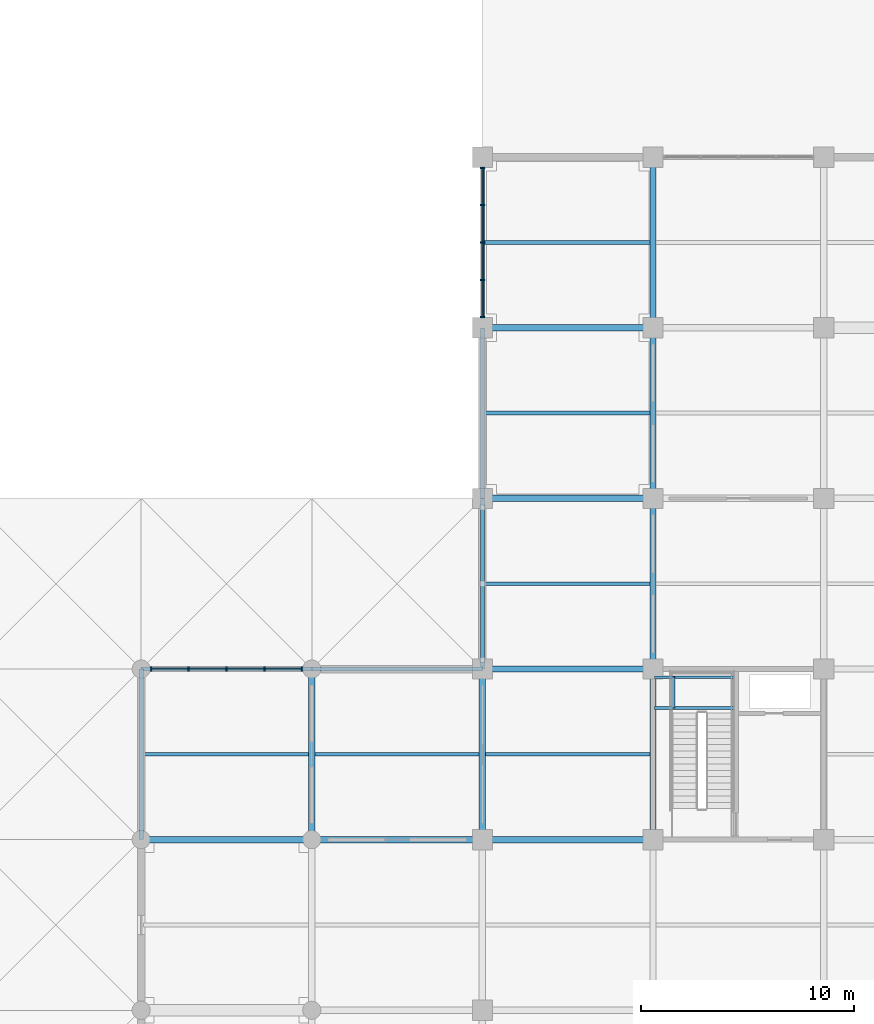
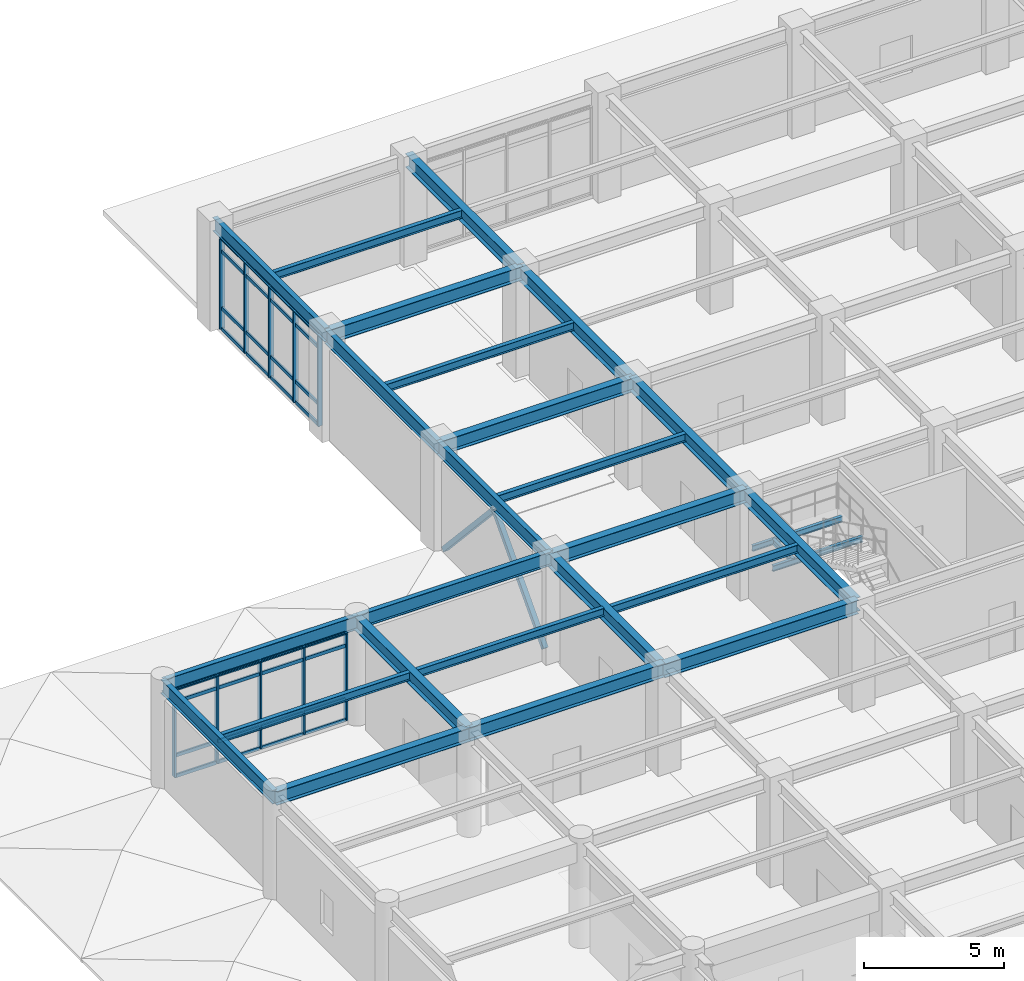
# One storey, part 38 of 109: 44 members, 27 beams, 2 elements without a shape of their own.
"""IFC4 building model written with IfcOpenShell, lengths in metres."""

from ifc_helpers import new_model, si_unit, direction, frame, origin, origin_2d, place, context, subcontext, project, spatial, rectangle, hollow_rectangle, i_section, extrude, material, layer, layer_set, material_profile, profile_set, type_object, element, aggregate, save


model = new_model("IFC4")

# Units and contexts
model_context = context("Model", 3, precision=1e-05, world=origin(), true_north=direction((0.0, 1.0)))
body_context = subcontext(model_context, "Body", "Model", "MODEL_VIEW")
ifc_project = project(units=[si_unit("LENGTHUNIT", "METRE"), si_unit("AREAUNIT", "SQUARE_METRE"), si_unit("VOLUMEUNIT", "CUBIC_METRE"), si_unit("PLANEANGLEUNIT", "RADIAN"), si_unit("MASSUNIT", "GRAM", prefix="KILO")], contexts=[model_context])

# Site, building, storey
site_placement = place(None, origin())
site = spatial("IfcSite", under=ifc_project, at=site_placement, CompositionType="ELEMENT")
building_placement = place(site_placement, origin())
building = spatial("IfcBuilding", under=site, at=building_placement, Name="Haebicheon Civic Stadium", CompositionType="ELEMENT")
storey_placement = place(building_placement, frame((0.0, 0.0, 9.60009765625)))
storey = spatial("IfcBuildingStorey", under=building, at=storey_placement, Name="L03", CompositionType="ELEMENT", Elevation=9.60009765625)

# Beams
ifc_material_1 = material(Name="Steel SM355 (S355)", Category="steel")
ifc_material_profile_1 = material_profile(ifc_material_1, i_section(OverallWidth=0.300048828125, OverallDepth=0.60009765625, WebThickness=0.011962890625, FlangeThickness=0.02001953125, at=origin_2d()), Name="H-600x300x12x20")
ifc_profile_set_1 = profile_set([ifc_material_profile_1], Name="Steel SM355 (S355)")
beam_type_1 = type_object("IfcBeamType", Name="BM-ST-H600A", PredefinedType="BEAM", material=ifc_profile_set_1)
for number, where, z_axis, x_axis, name in (
    (1, (16.0, 128.0, 4.27978515625), (0.0, 1.0, 0.0), (-1.0, 0.0, 0.0), "L03 girder 3/S-T"),
    (2, (24.0, 128.0, 4.239990234375), (0.0, 1.0, 0.0), (-1.0, 0.0, 0.0), "L03 girder 4/S-T"),
    (3, (32.0, 128.0, 4.239990234375), (0.0, 1.0, 0.0), (-1.0, 0.0, 0.0), "L03 girder 5/S-T"),
    (4, (32.0, 136.0, 4.239990234375), (0.0, 1.0, 0.0), (-1.0, 0.0, 0.0), "L03 girder 5/T-U"),
    (5, (32.0, 144.0, 4.239990234375), (0.0, 1.0, 0.0), (-1.0, 0.0, 0.0), "L03 girder 5/U-V"),
    (6, (32.0, 152.0, 4.27978515625), (0.0, 1.0, 0.0), (-1.0, 0.0, 0.0), "L03 girder 5/V-W"),
    (7, (8.0, 128.0, 4.27978515625), (1.0, 0.0, 0.0), (0.0, 1.0, 0.0), "L03 beam S/2-3"),
    (8, (16.0, 128.0, 4.27978515625), (1.0, 0.0, 0.0), (0.0, 1.0, 0.0), "L03 beam S/3-4"),
    (9, (24.0, 128.0, 4.239990234375), (1.0, 0.0, 0.0), (0.0, 1.0, 0.0), "L03 beam S/4-5"),
    (10, (24.0, 136.0, 4.239990234375), (1.0, 0.0, 0.0), (0.0, 1.0, 0.0), "L03 beam T/4-5"),
    (11, (24.0, 144.0, 4.239990234375), (1.0, 0.0, 0.0), (0.0, 1.0, 0.0), "L03 beam U/4-5"),
    (12, (24.0, 152.0, 4.239990234375), (1.0, 0.0, 0.0), (0.0, 1.0, 0.0), "L03 beam V/4-5"),
):
    element("IfcBeam", number, at=place(storey_placement, frame(where, z_axis=z_axis, x_axis=x_axis)), inside=storey, type_object=beam_type_1, material=ifc_profile_set_1, Name=name, PredefinedType="BEAM", context=body_context, shape_type="SweptSolid", body=[
        extrude(i_section(OverallWidth=0.300048828125, OverallDepth=0.60009765625, WebThickness=0.011962890625, FlangeThickness=0.02001953125, at=origin_2d()), origin(), (0.0, 0.0, 1.0), 8.0),
    ])

# Members
ifc_material_2 = material(Name="Steel SM355 (S355)", Category="steel")
ifc_material_profile_2 = material_profile(ifc_material_2, hollow_rectangle(XDim=0.199951171875, YDim=0.199951171875, WallThickness=0.009033203125, at=origin_2d()), Name="RHS-200x200x9.0")
ifc_profile_set_2 = profile_set([ifc_material_profile_2], Name="Steel SM355 (S355)")
member_type_1 = type_object("IfcMemberType", Name="BRC-RHS200", PredefinedType="BRACE", material=ifc_profile_set_2)
for number, where, z_axis, x_axis, name in (
    (13, (24.0, 136.419921875, 0.039794921875), (0.0, 0.676231908598, 0.736688812046), (-1.0, 0.0, 0.0), "BR200 chevron brace L03 03-17 A"),
    (14, (24.0, 143.580078125, 0.039794921875), (0.0, -0.676231908598, 0.736688812046), (1.0, 0.0, 0.0), "BR200 chevron brace L03 03-17 B"),
):
    element("IfcMember", number, at=place(storey_placement, frame(where, z_axis=z_axis, x_axis=x_axis)), inside=storey, type_object=member_type_1, material=ifc_profile_set_2, Name=name, PredefinedType="BRACE", context=body_context, shape_type="SweptSolid", body=[
        extrude(hollow_rectangle(XDim=0.199951171875, YDim=0.199951171875, WallThickness=0.009033203125, at=origin_2d()), origin(), (0.0, 0.0, 1.0), 5.294189453125),
    ])

# Curtain wall, members
ifc_material_3 = material(Name="Anodised aluminium and laminated glass", Category="aluminium")
ifc_layer_1 = layer(ifc_material_3, 0.179931640625, Name="Anodised aluminium and laminated glass")
ifc_layer_set_1 = layer_set([ifc_layer_1], Name="Anodised aluminium and laminated glass")
curtain_wall_type_1 = type_object("IfcCurtainWallType", Name="CW-7150x3790", PredefinedType="NOTDEFINED", material=ifc_layer_set_1)
curtain_wall_1_placement = place(storey_placement, origin())
curtain_wall_1 = element("IfcCurtainWall", 15, at=curtain_wall_1_placement, inside=storey, type_object=curtain_wall_type_1, material=ifc_layer_set_1, Name="L03 unitised curtain wall 071", PredefinedType="NOTDEFINED")
ifc_material_4 = material(Name="Anodised aluminium 6063-T6", Category="aluminium")
ifc_material_profile_3 = material_profile(ifc_material_4, rectangle(XDim=0.070068359375, YDim=0.199951171875, at=origin_2d()), Name="ALU-MULL-70x200")
ifc_profile_set_3 = profile_set([ifc_material_profile_3], Name="Anodised aluminium 6063-T6")
member_type_2 = type_object("IfcMemberType", Name="CWM-200x70", PredefinedType="MULLION", material=ifc_profile_set_3)
member_1_placement = place(storey_placement, frame((8.4599609375, 136.0, 0.159912109375), z_axis=(0.0, 0.0, 1.0), x_axis=(1.0, 0.0, 0.0)))
member_1 = element("IfcMember", 16, at=member_1_placement, type_object=member_type_2, material=ifc_profile_set_3, Name="CW-L03-071 vertical mullion 1", PredefinedType="MULLION", context=body_context, shape_type="SweptSolid", body=[
    extrude(rectangle(XDim=0.070068359375, YDim=0.199951171875, at=origin_2d()), origin(), (0.0, 0.0, 1.0), 3.7900390625),
])
member_2_placement = place(storey_placement, frame((10.212890625, 136.0, 0.159912109375), z_axis=(0.0, 0.0, 1.0), x_axis=(1.0, 0.0, 0.0)))
member_2 = element("IfcMember", 17, at=member_2_placement, type_object=member_type_2, material=ifc_profile_set_3, Name="CW-L03-071 vertical mullion 2", PredefinedType="MULLION", context=body_context, shape_type="SweptSolid", body=[
    extrude(rectangle(XDim=0.070068359375, YDim=0.199951171875, at=origin_2d()), origin(), (0.0, 0.0, 1.0), 3.7900390625),
])
member_3_placement = place(storey_placement, frame((12.0, 136.0, 0.159912109375), z_axis=(0.0, 0.0, 1.0), x_axis=(1.0, 0.0, 0.0)))
member_3 = element("IfcMember", 18, at=member_3_placement, type_object=member_type_2, material=ifc_profile_set_3, Name="CW-L03-071 vertical mullion 3", PredefinedType="MULLION", context=body_context, shape_type="SweptSolid", body=[
    extrude(rectangle(XDim=0.070068359375, YDim=0.199951171875, at=origin_2d()), origin(), (0.0, 0.0, 1.0), 3.7900390625),
])
member_4_placement = place(storey_placement, frame((13.7880859375, 136.0, 0.159912109375), z_axis=(0.0, 0.0, 1.0), x_axis=(1.0, 0.0, 0.0)))
member_4 = element("IfcMember", 19, at=member_4_placement, type_object=member_type_2, material=ifc_profile_set_3, Name="CW-L03-071 vertical mullion 4", PredefinedType="MULLION", context=body_context, shape_type="SweptSolid", body=[
    extrude(rectangle(XDim=0.070068359375, YDim=0.199951171875, at=origin_2d()), origin(), (0.0, 0.0, 1.0), 3.7900390625),
])
member_5_placement = place(storey_placement, frame((15.5400390625, 136.0, 0.159912109375), z_axis=(0.0, 0.0, 1.0), x_axis=(1.0, 0.0, 0.0)))
member_5 = element("IfcMember", 20, at=member_5_placement, type_object=member_type_2, material=ifc_profile_set_3, Name="CW-L03-071 vertical mullion 5", PredefinedType="MULLION", context=body_context, shape_type="SweptSolid", body=[
    extrude(rectangle(XDim=0.070068359375, YDim=0.199951171875, at=origin_2d()), origin(), (0.0, 0.0, 1.0), 3.7900390625),
])

ifc_material_5 = material(Name="Anodised aluminium and laminated glass", Category="aluminium")
ifc_layer_2 = layer(ifc_material_5, 0.179931640625, Name="Anodised aluminium and laminated glass")
ifc_layer_set_2 = layer_set([ifc_layer_2], Name="Anodised aluminium and laminated glass")
curtain_wall_type_2 = type_object("IfcCurtainWallType", Name="CW-7050x3930", PredefinedType="NOTDEFINED", material=ifc_layer_set_2)
curtain_wall_2_placement = place(storey_placement, origin())
curtain_wall_2 = element("IfcCurtainWall", 21, at=curtain_wall_2_placement, inside=storey, type_object=curtain_wall_type_2, material=ifc_layer_set_2, Name="L03 unitised curtain wall 073", PredefinedType="NOTDEFINED")
member_6_placement = place(storey_placement, frame((24.0, 152.510009765625, 0.0), z_axis=(0.0, 0.0, 1.0), x_axis=(0.0, 1.0, 0.0)))
member_6 = element("IfcMember", 22, at=member_6_placement, type_object=member_type_2, material=ifc_profile_set_3, Name="CW-L03-073 vertical mullion 1", PredefinedType="MULLION", context=body_context, shape_type="SweptSolid", body=[
    extrude(rectangle(XDim=0.070068359375, YDim=0.199951171875, at=origin_2d()), origin(), (0.0, 0.0, 1.0), 3.929931640625),
])
member_7_placement = place(storey_placement, frame((24.0, 154.237060546875, 0.0), z_axis=(0.0, 0.0, 1.0), x_axis=(0.0, 1.0, 0.0)))
member_7 = element("IfcMember", 23, at=member_7_placement, type_object=member_type_2, material=ifc_profile_set_3, Name="CW-L03-073 vertical mullion 2", PredefinedType="MULLION", context=body_context, shape_type="SweptSolid", body=[
    extrude(rectangle(XDim=0.070068359375, YDim=0.199951171875, at=origin_2d()), origin(), (0.0, 0.0, 1.0), 3.929931640625),
])
member_8_placement = place(storey_placement, frame((24.0, 156.0, 0.0), z_axis=(0.0, 0.0, 1.0), x_axis=(0.0, 1.0, 0.0)))
member_8 = element("IfcMember", 24, at=member_8_placement, type_object=member_type_2, material=ifc_profile_set_3, Name="CW-L03-073 vertical mullion 3", PredefinedType="MULLION", context=body_context, shape_type="SweptSolid", body=[
    extrude(rectangle(XDim=0.070068359375, YDim=0.199951171875, at=origin_2d()), origin(), (0.0, 0.0, 1.0), 3.929931640625),
])
member_9_placement = place(storey_placement, frame((24.0, 157.762939453125, 0.0), z_axis=(0.0, 0.0, 1.0), x_axis=(0.0, 1.0, 0.0)))
member_9 = element("IfcMember", 25, at=member_9_placement, type_object=member_type_2, material=ifc_profile_set_3, Name="CW-L03-073 vertical mullion 4", PredefinedType="MULLION", context=body_context, shape_type="SweptSolid", body=[
    extrude(rectangle(XDim=0.070068359375, YDim=0.199951171875, at=origin_2d()), origin(), (0.0, 0.0, 1.0), 3.929931640625),
])
member_10_placement = place(storey_placement, frame((24.0, 159.489990234375, 0.0), z_axis=(0.0, 0.0, 1.0), x_axis=(0.0, 1.0, 0.0)))
member_10 = element("IfcMember", 26, at=member_10_placement, type_object=member_type_2, material=ifc_profile_set_3, Name="CW-L03-073 vertical mullion 5", PredefinedType="MULLION", context=body_context, shape_type="SweptSolid", body=[
    extrude(rectangle(XDim=0.070068359375, YDim=0.199951171875, at=origin_2d()), origin(), (0.0, 0.0, 1.0), 3.929931640625),
])

# Member
ifc_material_6 = material(Name="Anodised aluminium 6063-T6", Category="aluminium")
ifc_material_profile_4 = material_profile(ifc_material_6, rectangle(XDim=0.070068359375, YDim=0.14990234375, at=origin_2d()), Name="ALU-TRAN-70x150")
ifc_profile_set_4 = profile_set([ifc_material_profile_4], Name="Anodised aluminium 6063-T6")
member_type_3 = type_object("IfcMemberType", Name="CWT-150x70", PredefinedType="NOTDEFINED", material=ifc_profile_set_4)
member_11_placement = place(storey_placement, frame((8.4951171875, 136.0, 0.159912109375), z_axis=(1.0, 0.0, 0.0), x_axis=(0.0, 1.0, 0.0)))
member_11 = element("IfcMember", 27, at=member_11_placement, type_object=member_type_3, material=ifc_profile_set_4, Name="CW-L03-071 horizontal transom 1.1", ObjectType="TRANSOM", PredefinedType="USERDEFINED", context=body_context, shape_type="SweptSolid", body=[
    extrude(rectangle(XDim=0.070068359375, YDim=0.14990234375, at=origin_2d()), origin(), (0.0, 0.0, 1.0), 1.682861328125),
])

member_12_placement = place(storey_placement, frame((8.4951171875, 136.0, 1.059814453125), z_axis=(1.0, 0.0, 0.0), x_axis=(0.0, 1.0, 0.0)))
member_12 = element("IfcMember", 28, at=member_12_placement, type_object=member_type_3, material=ifc_profile_set_4, Name="CW-L03-071 horizontal transom 1.2", ObjectType="TRANSOM", PredefinedType="USERDEFINED", context=body_context, shape_type="SweptSolid", body=[
    extrude(rectangle(XDim=0.070068359375, YDim=0.14990234375, at=origin_2d()), origin(), (0.0, 0.0, 1.0), 1.682861328125),
])

member_13_placement = place(storey_placement, frame((8.4951171875, 136.0, 3.39990234375), z_axis=(1.0, 0.0, 0.0), x_axis=(0.0, 1.0, 0.0)))
member_13 = element("IfcMember", 29, at=member_13_placement, type_object=member_type_3, material=ifc_profile_set_4, Name="CW-L03-071 horizontal transom 1.3", ObjectType="TRANSOM", PredefinedType="USERDEFINED", context=body_context, shape_type="SweptSolid", body=[
    extrude(rectangle(XDim=0.070068359375, YDim=0.14990234375, at=origin_2d()), origin(), (0.0, 0.0, 1.0), 1.682861328125),
])

member_14_placement = place(storey_placement, frame((8.4951171875, 136.0, 3.949951171875), z_axis=(1.0, 0.0, 0.0), x_axis=(0.0, 1.0, 0.0)))
member_14 = element("IfcMember", 30, at=member_14_placement, type_object=member_type_3, material=ifc_profile_set_4, Name="CW-L03-071 horizontal transom 1.4", ObjectType="TRANSOM", PredefinedType="USERDEFINED", context=body_context, shape_type="SweptSolid", body=[
    extrude(rectangle(XDim=0.070068359375, YDim=0.14990234375, at=origin_2d()), origin(), (0.0, 0.0, 1.0), 1.682861328125),
])

member_15_placement = place(storey_placement, frame((10.248046875, 136.0, 0.159912109375), z_axis=(1.0, 0.0, 0.0), x_axis=(0.0, 1.0, 0.0)))
member_15 = element("IfcMember", 31, at=member_15_placement, type_object=member_type_3, material=ifc_profile_set_4, Name="CW-L03-071 horizontal transom 2.1", ObjectType="TRANSOM", PredefinedType="USERDEFINED", context=body_context, shape_type="SweptSolid", body=[
    extrude(rectangle(XDim=0.070068359375, YDim=0.14990234375, at=origin_2d()), origin(), (0.0, 0.0, 1.0), 1.717041015625),
])

member_16_placement = place(storey_placement, frame((10.248046875, 136.0, 1.059814453125), z_axis=(1.0, 0.0, 0.0), x_axis=(0.0, 1.0, 0.0)))
member_16 = element("IfcMember", 32, at=member_16_placement, type_object=member_type_3, material=ifc_profile_set_4, Name="CW-L03-071 horizontal transom 2.2", ObjectType="TRANSOM", PredefinedType="USERDEFINED", context=body_context, shape_type="SweptSolid", body=[
    extrude(rectangle(XDim=0.070068359375, YDim=0.14990234375, at=origin_2d()), origin(), (0.0, 0.0, 1.0), 1.717041015625),
])

member_17_placement = place(storey_placement, frame((10.248046875, 136.0, 3.39990234375), z_axis=(1.0, 0.0, 0.0), x_axis=(0.0, 1.0, 0.0)))
member_17 = element("IfcMember", 33, at=member_17_placement, type_object=member_type_3, material=ifc_profile_set_4, Name="CW-L03-071 horizontal transom 2.3", ObjectType="TRANSOM", PredefinedType="USERDEFINED", context=body_context, shape_type="SweptSolid", body=[
    extrude(rectangle(XDim=0.070068359375, YDim=0.14990234375, at=origin_2d()), origin(), (0.0, 0.0, 1.0), 1.717041015625),
])

member_18_placement = place(storey_placement, frame((10.248046875, 136.0, 3.949951171875), z_axis=(1.0, 0.0, 0.0), x_axis=(0.0, 1.0, 0.0)))
member_18 = element("IfcMember", 34, at=member_18_placement, type_object=member_type_3, material=ifc_profile_set_4, Name="CW-L03-071 horizontal transom 2.4", ObjectType="TRANSOM", PredefinedType="USERDEFINED", context=body_context, shape_type="SweptSolid", body=[
    extrude(rectangle(XDim=0.070068359375, YDim=0.14990234375, at=origin_2d()), origin(), (0.0, 0.0, 1.0), 1.717041015625),
])

member_19_placement = place(storey_placement, frame((12.034912109375, 136.0, 0.159912109375), z_axis=(1.0, 0.0, 0.0), x_axis=(0.0, 1.0, 0.0)))
member_19 = element("IfcMember", 35, at=member_19_placement, type_object=member_type_3, material=ifc_profile_set_4, Name="CW-L03-071 horizontal transom 3.1", ObjectType="TRANSOM", PredefinedType="USERDEFINED", context=body_context, shape_type="SweptSolid", body=[
    extrude(rectangle(XDim=0.070068359375, YDim=0.14990234375, at=origin_2d()), origin(), (0.0, 0.0, 1.0), 1.718017578125),
])

member_20_placement = place(storey_placement, frame((12.034912109375, 136.0, 1.059814453125), z_axis=(1.0, 0.0, 0.0), x_axis=(0.0, 1.0, 0.0)))
member_20 = element("IfcMember", 36, at=member_20_placement, type_object=member_type_3, material=ifc_profile_set_4, Name="CW-L03-071 horizontal transom 3.2", ObjectType="TRANSOM", PredefinedType="USERDEFINED", context=body_context, shape_type="SweptSolid", body=[
    extrude(rectangle(XDim=0.070068359375, YDim=0.14990234375, at=origin_2d()), origin(), (0.0, 0.0, 1.0), 1.718017578125),
])

member_21_placement = place(storey_placement, frame((12.034912109375, 136.0, 3.39990234375), z_axis=(1.0, 0.0, 0.0), x_axis=(0.0, 1.0, 0.0)))
member_21 = element("IfcMember", 37, at=member_21_placement, type_object=member_type_3, material=ifc_profile_set_4, Name="CW-L03-071 horizontal transom 3.3", ObjectType="TRANSOM", PredefinedType="USERDEFINED", context=body_context, shape_type="SweptSolid", body=[
    extrude(rectangle(XDim=0.070068359375, YDim=0.14990234375, at=origin_2d()), origin(), (0.0, 0.0, 1.0), 1.718017578125),
])

member_22_placement = place(storey_placement, frame((12.034912109375, 136.0, 3.949951171875), z_axis=(1.0, 0.0, 0.0), x_axis=(0.0, 1.0, 0.0)))
member_22 = element("IfcMember", 38, at=member_22_placement, type_object=member_type_3, material=ifc_profile_set_4, Name="CW-L03-071 horizontal transom 3.4", ObjectType="TRANSOM", PredefinedType="USERDEFINED", context=body_context, shape_type="SweptSolid", body=[
    extrude(rectangle(XDim=0.070068359375, YDim=0.14990234375, at=origin_2d()), origin(), (0.0, 0.0, 1.0), 1.718017578125),
])

member_23_placement = place(storey_placement, frame((13.822998046875, 136.0, 0.159912109375), z_axis=(1.0, 0.0, 0.0), x_axis=(0.0, 1.0, 0.0)))
member_23 = element("IfcMember", 39, at=member_23_placement, type_object=member_type_3, material=ifc_profile_set_4, Name="CW-L03-071 horizontal transom 4.1", ObjectType="TRANSOM", PredefinedType="USERDEFINED", context=body_context, shape_type="SweptSolid", body=[
    extrude(rectangle(XDim=0.070068359375, YDim=0.14990234375, at=origin_2d()), origin(), (0.0, 0.0, 1.0), 1.681884765625),
])

member_24_placement = place(storey_placement, frame((13.822998046875, 136.0, 1.059814453125), z_axis=(1.0, 0.0, 0.0), x_axis=(0.0, 1.0, 0.0)))
member_24 = element("IfcMember", 40, at=member_24_placement, type_object=member_type_3, material=ifc_profile_set_4, Name="CW-L03-071 horizontal transom 4.2", ObjectType="TRANSOM", PredefinedType="USERDEFINED", context=body_context, shape_type="SweptSolid", body=[
    extrude(rectangle(XDim=0.070068359375, YDim=0.14990234375, at=origin_2d()), origin(), (0.0, 0.0, 1.0), 1.681884765625),
])

member_25_placement = place(storey_placement, frame((13.822998046875, 136.0, 3.39990234375), z_axis=(1.0, 0.0, 0.0), x_axis=(0.0, 1.0, 0.0)))
member_25 = element("IfcMember", 41, at=member_25_placement, type_object=member_type_3, material=ifc_profile_set_4, Name="CW-L03-071 horizontal transom 4.3", ObjectType="TRANSOM", PredefinedType="USERDEFINED", context=body_context, shape_type="SweptSolid", body=[
    extrude(rectangle(XDim=0.070068359375, YDim=0.14990234375, at=origin_2d()), origin(), (0.0, 0.0, 1.0), 1.681884765625),
])

member_26_placement = place(storey_placement, frame((13.822998046875, 136.0, 3.949951171875), z_axis=(1.0, 0.0, 0.0), x_axis=(0.0, 1.0, 0.0)))
member_26 = element("IfcMember", 42, at=member_26_placement, type_object=member_type_3, material=ifc_profile_set_4, Name="CW-L03-071 horizontal transom 4.4", ObjectType="TRANSOM", PredefinedType="USERDEFINED", context=body_context, shape_type="SweptSolid", body=[
    extrude(rectangle(XDim=0.070068359375, YDim=0.14990234375, at=origin_2d()), origin(), (0.0, 0.0, 1.0), 1.681884765625),
])

aggregate(curtain_wall_1, [member_1, member_2, member_3, member_4, member_5, member_11, member_12, member_13, member_14, member_15, member_16, member_17, member_18, member_19, member_20, member_21, member_22, member_23, member_24, member_25, member_26])

member_27_placement = place(storey_placement, frame((24.0, 152.544921875, 0.0), z_axis=(0.0, 1.0, 0.0), x_axis=(-1.0, 0.0, 0.0)))
member_27 = element("IfcMember", 43, at=member_27_placement, type_object=member_type_3, material=ifc_profile_set_4, Name="CW-L03-073 horizontal transom 1.1", ObjectType="TRANSOM", PredefinedType="USERDEFINED", context=body_context, shape_type="SweptSolid", body=[
    extrude(rectangle(XDim=0.070068359375, YDim=0.14990234375, at=origin_2d()), origin(), (0.0, 0.0, 1.0), 1.656982421875),
])

member_28_placement = place(storey_placement, frame((24.0, 152.544921875, 0.89990234375), z_axis=(0.0, 1.0, 0.0), x_axis=(-1.0, 0.0, 0.0)))
member_28 = element("IfcMember", 44, at=member_28_placement, type_object=member_type_3, material=ifc_profile_set_4, Name="CW-L03-073 horizontal transom 1.2", ObjectType="TRANSOM", PredefinedType="USERDEFINED", context=body_context, shape_type="SweptSolid", body=[
    extrude(rectangle(XDim=0.070068359375, YDim=0.14990234375, at=origin_2d()), origin(), (0.0, 0.0, 1.0), 1.656982421875),
])

member_29_placement = place(storey_placement, frame((24.0, 152.544921875, 3.3798828125), z_axis=(0.0, 1.0, 0.0), x_axis=(-1.0, 0.0, 0.0)))
member_29 = element("IfcMember", 45, at=member_29_placement, type_object=member_type_3, material=ifc_profile_set_4, Name="CW-L03-073 horizontal transom 1.3", ObjectType="TRANSOM", PredefinedType="USERDEFINED", context=body_context, shape_type="SweptSolid", body=[
    extrude(rectangle(XDim=0.070068359375, YDim=0.14990234375, at=origin_2d()), origin(), (0.0, 0.0, 1.0), 1.656982421875),
])

member_30_placement = place(storey_placement, frame((24.0, 152.544921875, 3.929931640625), z_axis=(0.0, 1.0, 0.0), x_axis=(-1.0, 0.0, 0.0)))
member_30 = element("IfcMember", 46, at=member_30_placement, type_object=member_type_3, material=ifc_profile_set_4, Name="CW-L03-073 horizontal transom 1.4", ObjectType="TRANSOM", PredefinedType="USERDEFINED", context=body_context, shape_type="SweptSolid", body=[
    extrude(rectangle(XDim=0.070068359375, YDim=0.14990234375, at=origin_2d()), origin(), (0.0, 0.0, 1.0), 1.656982421875),
])

member_31_placement = place(storey_placement, frame((24.0, 154.27197265625, 0.0), z_axis=(0.0, 1.0, 0.0), x_axis=(-1.0, 0.0, 0.0)))
member_31 = element("IfcMember", 47, at=member_31_placement, type_object=member_type_3, material=ifc_profile_set_4, Name="CW-L03-073 horizontal transom 2.1", ObjectType="TRANSOM", PredefinedType="USERDEFINED", context=body_context, shape_type="SweptSolid", body=[
    extrude(rectangle(XDim=0.070068359375, YDim=0.14990234375, at=origin_2d()), origin(), (0.0, 0.0, 1.0), 1.693115234375),
])

member_32_placement = place(storey_placement, frame((24.0, 154.27197265625, 0.89990234375), z_axis=(0.0, 1.0, 0.0), x_axis=(-1.0, 0.0, 0.0)))
member_32 = element("IfcMember", 48, at=member_32_placement, type_object=member_type_3, material=ifc_profile_set_4, Name="CW-L03-073 horizontal transom 2.2", ObjectType="TRANSOM", PredefinedType="USERDEFINED", context=body_context, shape_type="SweptSolid", body=[
    extrude(rectangle(XDim=0.070068359375, YDim=0.14990234375, at=origin_2d()), origin(), (0.0, 0.0, 1.0), 1.693115234375),
])

member_33_placement = place(storey_placement, frame((24.0, 154.27197265625, 3.3798828125), z_axis=(0.0, 1.0, 0.0), x_axis=(-1.0, 0.0, 0.0)))
member_33 = element("IfcMember", 49, at=member_33_placement, type_object=member_type_3, material=ifc_profile_set_4, Name="CW-L03-073 horizontal transom 2.3", ObjectType="TRANSOM", PredefinedType="USERDEFINED", context=body_context, shape_type="SweptSolid", body=[
    extrude(rectangle(XDim=0.070068359375, YDim=0.14990234375, at=origin_2d()), origin(), (0.0, 0.0, 1.0), 1.693115234375),
])

member_34_placement = place(storey_placement, frame((24.0, 154.27197265625, 3.929931640625), z_axis=(0.0, 1.0, 0.0), x_axis=(-1.0, 0.0, 0.0)))
member_34 = element("IfcMember", 50, at=member_34_placement, type_object=member_type_3, material=ifc_profile_set_4, Name="CW-L03-073 horizontal transom 2.4", ObjectType="TRANSOM", PredefinedType="USERDEFINED", context=body_context, shape_type="SweptSolid", body=[
    extrude(rectangle(XDim=0.070068359375, YDim=0.14990234375, at=origin_2d()), origin(), (0.0, 0.0, 1.0), 1.693115234375),
])

member_35_placement = place(storey_placement, frame((24.0, 156.034912109375, 0.0), z_axis=(0.0, 1.0, 0.0), x_axis=(-1.0, 0.0, 0.0)))
member_35 = element("IfcMember", 51, at=member_35_placement, type_object=member_type_3, material=ifc_profile_set_4, Name="CW-L03-073 horizontal transom 3.1", ObjectType="TRANSOM", PredefinedType="USERDEFINED", context=body_context, shape_type="SweptSolid", body=[
    extrude(rectangle(XDim=0.070068359375, YDim=0.14990234375, at=origin_2d()), origin(), (0.0, 0.0, 1.0), 1.693115234375),
])

member_36_placement = place(storey_placement, frame((24.0, 156.034912109375, 0.89990234375), z_axis=(0.0, 1.0, 0.0), x_axis=(-1.0, 0.0, 0.0)))
member_36 = element("IfcMember", 52, at=member_36_placement, type_object=member_type_3, material=ifc_profile_set_4, Name="CW-L03-073 horizontal transom 3.2", ObjectType="TRANSOM", PredefinedType="USERDEFINED", context=body_context, shape_type="SweptSolid", body=[
    extrude(rectangle(XDim=0.070068359375, YDim=0.14990234375, at=origin_2d()), origin(), (0.0, 0.0, 1.0), 1.693115234375),
])

member_37_placement = place(storey_placement, frame((24.0, 156.034912109375, 3.3798828125), z_axis=(0.0, 1.0, 0.0), x_axis=(-1.0, 0.0, 0.0)))
member_37 = element("IfcMember", 53, at=member_37_placement, type_object=member_type_3, material=ifc_profile_set_4, Name="CW-L03-073 horizontal transom 3.3", ObjectType="TRANSOM", PredefinedType="USERDEFINED", context=body_context, shape_type="SweptSolid", body=[
    extrude(rectangle(XDim=0.070068359375, YDim=0.14990234375, at=origin_2d()), origin(), (0.0, 0.0, 1.0), 1.693115234375),
])

member_38_placement = place(storey_placement, frame((24.0, 156.034912109375, 3.929931640625), z_axis=(0.0, 1.0, 0.0), x_axis=(-1.0, 0.0, 0.0)))
member_38 = element("IfcMember", 54, at=member_38_placement, type_object=member_type_3, material=ifc_profile_set_4, Name="CW-L03-073 horizontal transom 3.4", ObjectType="TRANSOM", PredefinedType="USERDEFINED", context=body_context, shape_type="SweptSolid", body=[
    extrude(rectangle(XDim=0.070068359375, YDim=0.14990234375, at=origin_2d()), origin(), (0.0, 0.0, 1.0), 1.693115234375),
])

member_39_placement = place(storey_placement, frame((24.0, 157.798095703125, 0.0), z_axis=(0.0, 1.0, 0.0), x_axis=(-1.0, 0.0, 0.0)))
member_39 = element("IfcMember", 55, at=member_39_placement, type_object=member_type_3, material=ifc_profile_set_4, Name="CW-L03-073 horizontal transom 4.1", ObjectType="TRANSOM", PredefinedType="USERDEFINED", context=body_context, shape_type="SweptSolid", body=[
    extrude(rectangle(XDim=0.070068359375, YDim=0.14990234375, at=origin_2d()), origin(), (0.0, 0.0, 1.0), 1.656982421875),
])

member_40_placement = place(storey_placement, frame((24.0, 157.798095703125, 0.89990234375), z_axis=(0.0, 1.0, 0.0), x_axis=(-1.0, 0.0, 0.0)))
member_40 = element("IfcMember", 56, at=member_40_placement, type_object=member_type_3, material=ifc_profile_set_4, Name="CW-L03-073 horizontal transom 4.2", ObjectType="TRANSOM", PredefinedType="USERDEFINED", context=body_context, shape_type="SweptSolid", body=[
    extrude(rectangle(XDim=0.070068359375, YDim=0.14990234375, at=origin_2d()), origin(), (0.0, 0.0, 1.0), 1.656982421875),
])

member_41_placement = place(storey_placement, frame((24.0, 157.798095703125, 3.3798828125), z_axis=(0.0, 1.0, 0.0), x_axis=(-1.0, 0.0, 0.0)))
member_41 = element("IfcMember", 57, at=member_41_placement, type_object=member_type_3, material=ifc_profile_set_4, Name="CW-L03-073 horizontal transom 4.3", ObjectType="TRANSOM", PredefinedType="USERDEFINED", context=body_context, shape_type="SweptSolid", body=[
    extrude(rectangle(XDim=0.070068359375, YDim=0.14990234375, at=origin_2d()), origin(), (0.0, 0.0, 1.0), 1.656982421875),
])

member_42_placement = place(storey_placement, frame((24.0, 157.798095703125, 3.929931640625), z_axis=(0.0, 1.0, 0.0), x_axis=(-1.0, 0.0, 0.0)))
member_42 = element("IfcMember", 58, at=member_42_placement, type_object=member_type_3, material=ifc_profile_set_4, Name="CW-L03-073 horizontal transom 4.4", ObjectType="TRANSOM", PredefinedType="USERDEFINED", context=body_context, shape_type="SweptSolid", body=[
    extrude(rectangle(XDim=0.070068359375, YDim=0.14990234375, at=origin_2d()), origin(), (0.0, 0.0, 1.0), 1.656982421875),
])

aggregate(curtain_wall_2, [member_6, member_7, member_8, member_9, member_10, member_27, member_28, member_29, member_30, member_31, member_32, member_33, member_34, member_35, member_36, member_37, member_38, member_39, member_40, member_41, member_42])

# Beams
ifc_material_7 = material(Name="Steel SM355 (S355)", Category="steel")
ifc_material_profile_5 = material_profile(ifc_material_7, i_section(OverallWidth=0.125, OverallDepth=0.25, WebThickness=0.006103515625, FlangeThickness=0.009033203125, at=origin_2d()), Name="H-250x125x6x9")
ifc_profile_set_5 = profile_set([ifc_material_profile_5], Name="Steel SM355 (S355)")
beam_type_2 = type_object("IfcBeamType", Name="JST-ST-H250", PredefinedType="JOIST", material=ifc_profile_set_5)
for number, where, z_axis, x_axis, name in (
    (59, (32.080078125, 134.169921875, 2.072021484375), (1.0, 0.0, 0.0), (0.0, 1.0, 0.0), "KC-05 L03 stair half-landing front trimmer beam"),
    (60, (32.080078125, 135.6201171875, 2.072021484375), (1.0, 0.0, 0.0), (0.0, 1.0, 0.0), "KC-05 L03 stair half-landing rear trimmer beam"),
):
    element("IfcBeam", number, at=place(storey_placement, frame(where, z_axis=z_axis, x_axis=x_axis)), inside=storey, type_object=beam_type_2, material=ifc_profile_set_5, Name=name, PredefinedType="JOIST", context=body_context, shape_type="SweptSolid", body=[
        extrude(i_section(OverallWidth=0.125, OverallDepth=0.25, WebThickness=0.006103515625, FlangeThickness=0.009033203125, at=origin_2d()), origin(), (0.0, 0.0, 1.0), 3.719970703125),
    ])
beam_1_placement = place(storey_placement, frame((32.9599609375, 134.169921875, 2.072021484375), z_axis=(0.0, 1.0, 0.0), x_axis=(-1.0, 0.0, 0.0)))
element("IfcBeam", 61, at=beam_1_placement, inside=storey, type_object=beam_type_2, material=ifc_profile_set_5, Name="KC-05 L03 stair half-landing transverse tie beam", PredefinedType="JOIST", context=body_context, shape_type="SweptSolid", body=[
    extrude(i_section(OverallWidth=0.125, OverallDepth=0.25, WebThickness=0.006103515625, FlangeThickness=0.009033203125, at=origin_2d()), origin(), (0.0, 0.0, 1.0), 1.4501953125),
])
ifc_material_8 = material(Name="Steel SM355 (S355)", Category="steel")
ifc_material_profile_6 = material_profile(ifc_material_8, i_section(OverallWidth=0.175048828125, OverallDepth=0.35009765625, WebThickness=0.007080078125, FlangeThickness=0.010986328125, at=origin_2d()), Name="H-350x175x7x11")
ifc_profile_set_6 = profile_set([ifc_material_profile_6], Name="Steel SM355 (S355)")
beam_type_3 = type_object("IfcBeamType", Name="JST-ST-H350", PredefinedType="JOIST", material=ifc_profile_set_6)
beam_2_placement = place(storey_placement, frame((8.10009765625, 132.0, 4.40478515625), z_axis=(1.0, 0.0, 0.0), x_axis=(0.0, 1.0, 0.0)))
element("IfcBeam", 62, at=beam_2_placement, inside=storey, type_object=beam_type_3, material=ifc_profile_set_6, Name="L03 secondary joist 01-16", PredefinedType="JOIST", context=body_context, shape_type="SweptSolid", body=[
    extrude(i_section(OverallWidth=0.175048828125, OverallDepth=0.35009765625, WebThickness=0.007080078125, FlangeThickness=0.010986328125, at=origin_2d()), origin(), (0.0, 0.0, 1.0), 7.75),
])
for number, where, z_axis, x_axis, name in (
    (63, (16.14990234375, 132.0, 4.40478515625), (1.0, 0.0, 0.0), (0.0, 1.0, 0.0), "L03 secondary joist 02-16"),
    (64, (24.14990234375, 132.0, 4.364990234375), (1.0, 0.0, 0.0), (0.0, 1.0, 0.0), "L03 secondary joist 03-16"),
):
    element("IfcBeam", number, at=place(storey_placement, frame(where, z_axis=z_axis, x_axis=x_axis)), inside=storey, type_object=beam_type_3, material=ifc_profile_set_6, Name=name, PredefinedType="JOIST", context=body_context, shape_type="SweptSolid", body=[
        extrude(i_section(OverallWidth=0.175048828125, OverallDepth=0.35009765625, WebThickness=0.007080078125, FlangeThickness=0.010986328125, at=origin_2d()), origin(), (0.0, 0.0, 1.0), 7.7001953125),
    ])
for number, where, z_axis, x_axis, name in (
    (65, (24.10009765625, 140.0, 4.364990234375), (1.0, 0.0, 0.0), (0.0, 1.0, 0.0), "L03 secondary joist 03-17"),
    (66, (24.10009765625, 148.0, 4.364990234375), (1.0, 0.0, 0.0), (0.0, 1.0, 0.0), "L03 secondary joist 03-18"),
    (67, (24.10009765625, 156.0, 4.40478515625), (1.0, 0.0, 0.0), (0.0, 1.0, 0.0), "L03 secondary joist 03-19"),
):
    element("IfcBeam", number, at=place(storey_placement, frame(where, z_axis=z_axis, x_axis=x_axis)), inside=storey, type_object=beam_type_3, material=ifc_profile_set_6, Name=name, PredefinedType="JOIST", context=body_context, shape_type="SweptSolid", body=[
        extrude(i_section(OverallWidth=0.175048828125, OverallDepth=0.35009765625, WebThickness=0.007080078125, FlangeThickness=0.010986328125, at=origin_2d()), origin(), (0.0, 0.0, 1.0), 7.75),
    ])
ifc_material_9 = material(Name="Steel SM355 (S355)", Category="steel")
ifc_material_profile_7 = material_profile(ifc_material_9, i_section(OverallWidth=0.199951171875, OverallDepth=0.60009765625, WebThickness=0.010986328125, FlangeThickness=0.01708984375, at=origin_2d()), Name="H-600x200x11x17")
ifc_profile_set_7 = profile_set([ifc_material_profile_7], Name="Steel SM355 (S355)")
beam_type_4 = type_object("IfcBeamType", Name="SPD-ST-H600B", PredefinedType="SPANDREL", material=ifc_profile_set_7)
for number, where, z_axis, x_axis, name in (
    (68, (8.0, 128.0, 4.27978515625), (0.0, 1.0, 0.0), (-1.0, 0.0, 0.0), "L03 girder 2/S-T"),
    (69, (24.0, 136.0, 4.239990234375), (0.0, 1.0, 0.0), (-1.0, 0.0, 0.0), "L03 girder 4/T-U"),
    (70, (24.0, 144.0, 4.239990234375), (0.0, 1.0, 0.0), (-1.0, 0.0, 0.0), "L03 girder 4/U-V"),
    (71, (24.0, 152.0, 4.27978515625), (0.0, 1.0, 0.0), (-1.0, 0.0, 0.0), "L03 girder 4/V-W"),
    (72, (8.0, 136.0, 4.27978515625), (1.0, 0.0, 0.0), (0.0, 1.0, 0.0), "L03 beam T/2-3"),
    (73, (16.0, 136.0, 4.27978515625), (1.0, 0.0, 0.0), (0.0, 1.0, 0.0), "L03 beam T/3-4"),
):
    element("IfcBeam", number, at=place(storey_placement, frame(where, z_axis=z_axis, x_axis=x_axis)), inside=storey, type_object=beam_type_4, material=ifc_profile_set_7, Name=name, PredefinedType="SPANDREL", context=body_context, shape_type="SweptSolid", body=[
        extrude(i_section(OverallWidth=0.199951171875, OverallDepth=0.60009765625, WebThickness=0.010986328125, FlangeThickness=0.01708984375, at=origin_2d()), origin(), (0.0, 0.0, 1.0), 8.0),
    ])

save(model, "model.ifc")
